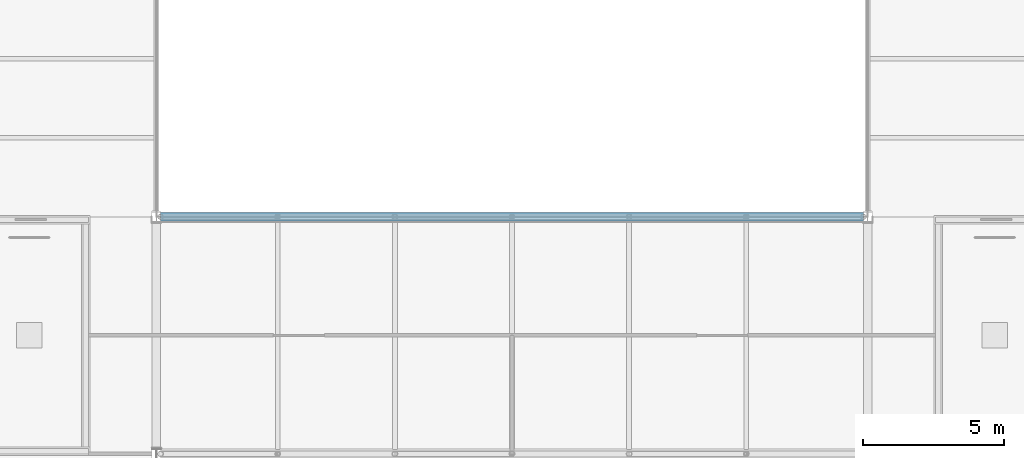
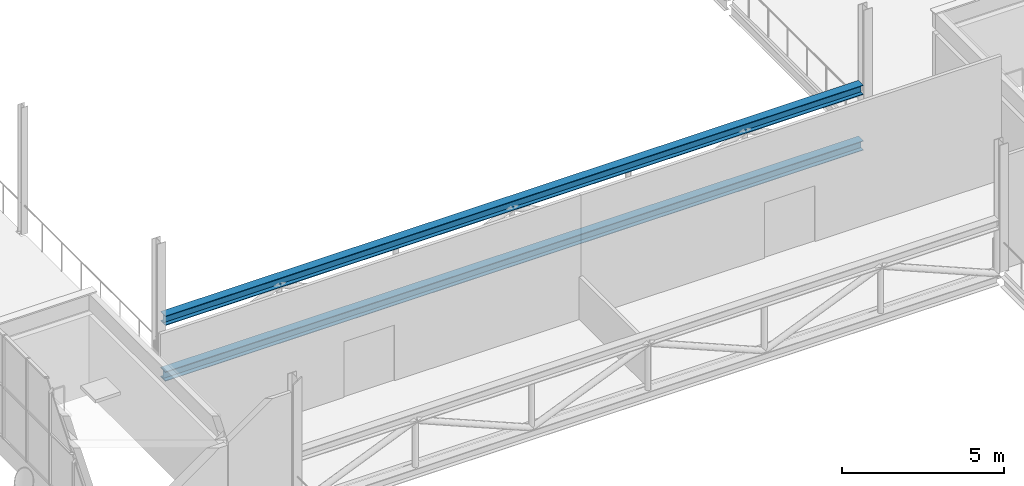
# One storey, part 17 of 76: 2 beams.
"""IFC4 building model written with IfcOpenShell, lengths in metres."""

from ifc_helpers import new_model, si_unit, direction, frame, origin, origin_2d, place, context, subcontext, project, spatial, i_section, extrude, material, material_profile, profile_set, type_object, element, save


model = new_model("IFC4")

# Units and contexts
model_context = context("Model", 3, precision=1e-05, world=origin(), true_north=direction((0.0, 1.0)))
body_context = subcontext(model_context, "Body", "Model", "MODEL_VIEW")
ifc_project = project(units=[si_unit("LENGTHUNIT", "METRE"), si_unit("AREAUNIT", "SQUARE_METRE"), si_unit("VOLUMEUNIT", "CUBIC_METRE"), si_unit("PLANEANGLEUNIT", "RADIAN"), si_unit("MASSUNIT", "GRAM", prefix="KILO")], contexts=[model_context])

# Site, building, storey
site_placement = place(None, origin())
site = spatial("IfcSite", under=ifc_project, at=site_placement, CompositionType="ELEMENT")
building_placement = place(site_placement, origin())
building = spatial("IfcBuilding", under=site, at=building_placement, Name="Sava Quay Ferry Terminal", CompositionType="ELEMENT")
storey_placement = place(building_placement, frame((0.0, 0.0, 6.0)))
storey = spatial("IfcBuildingStorey", under=building, at=storey_placement, Name="L01", CompositionType="ELEMENT", Elevation=6.0)

# Beams
ifc_material = material(Name="Steel S355", Category="steel")
ifc_material_profile = material_profile(ifc_material, i_section(OverallWidth=0.300048828125, OverallDepth=0.360107421875, WebThickness=0.012451171875, FlangeThickness=0.0224609375, at=origin_2d()), Name="HE 360 B")
ifc_profile_set = profile_set([ifc_material_profile], Name="Steel S355")
beam_type = type_object("IfcBeamType", Name="Girder HE 360 B", PredefinedType="BEAM", material=ifc_profile_set)
for number, where, z_axis, x_axis, name in (
    (1, (50.550048828125, 58.800048828125, -0.31005859375), (1.0, 0.0, 0.0), (0.0, 1.0, 0.0), "Truss bottom chord 58.8"),
    (2, (50.550048828125, 58.800048828125, 1.7900390625), (1.0, 0.0, 0.0), (0.0, 1.0, 0.0), "Truss top chord 58.8"),
):
    element("IfcBeam", number, at=place(storey_placement, frame(where, z_axis=z_axis, x_axis=x_axis)), inside=storey, type_object=beam_type, Name=name, PredefinedType="BEAM", context=body_context, shape_type="SweptSolid", body=[
        extrude(i_section(OverallWidth=0.300048828125, OverallDepth=0.360107421875, WebThickness=0.012451171875, FlangeThickness=0.0224609375, at=origin_2d()), origin(), (0.0, 0.0, 1.0), 24.89990234375),
    ])

save(model, "model.ifc")
